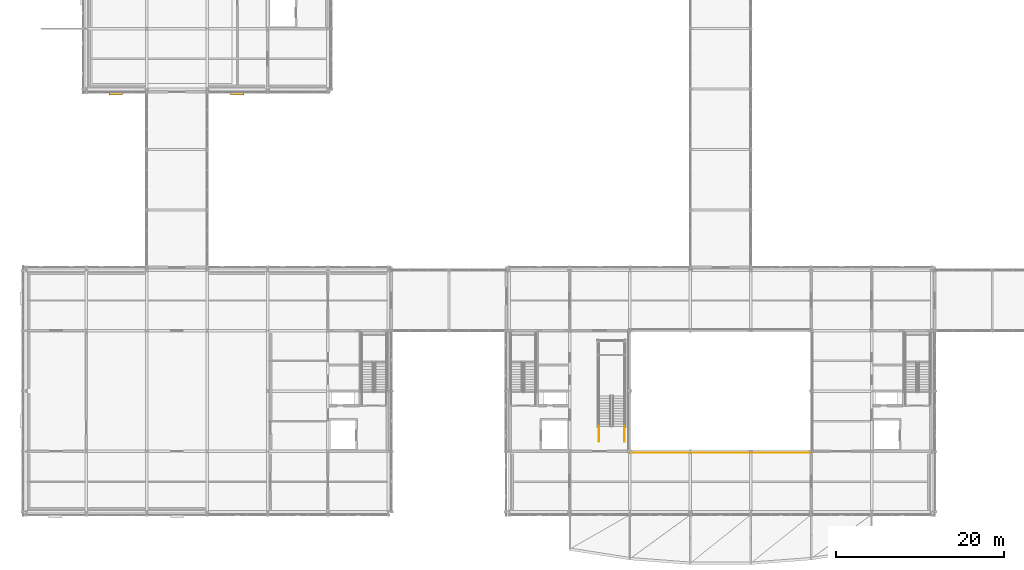
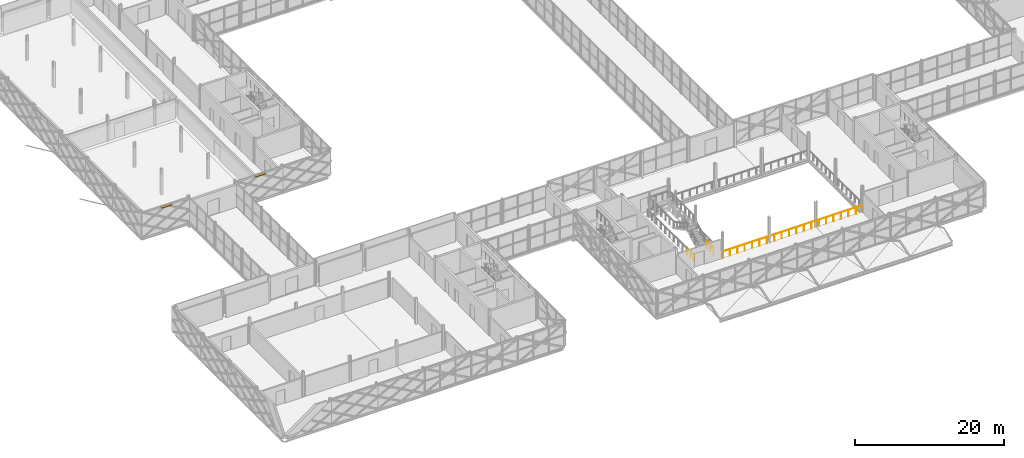
# One storey, part 136 of 146: 3 railings, 2 shading devices.
"""IFC4 building model written with IfcOpenShell, lengths in metres."""

from ifc_helpers import new_model, si_unit, direction, frame, origin, origin_2d, place, context, subcontext, project, spatial, rectangle, circle, extrude, material, type_object, element, save


model = new_model("IFC4")

# Units and contexts
model_context = context("Model", 3, precision=1e-05, world=origin(), true_north=direction((0.0, 1.0)))
body_context = subcontext(model_context, "Body", "Model", "MODEL_VIEW")
ifc_project = project(units=[si_unit("LENGTHUNIT", "METRE"), si_unit("AREAUNIT", "SQUARE_METRE"), si_unit("VOLUMEUNIT", "CUBIC_METRE"), si_unit("PLANEANGLEUNIT", "RADIAN"), si_unit("MASSUNIT", "GRAM", prefix="KILO")], contexts=[model_context])

# Site, building, storey
site_placement = place(None, origin())
site = spatial("IfcSite", under=ifc_project, at=site_placement, CompositionType="ELEMENT")
building_placement = place(site_placement, origin())
building = spatial("IfcBuilding", under=site, at=building_placement, Name="Zlatovets Crest Museum", CompositionType="ELEMENT")
storey_placement = place(building_placement, frame((0.0, 0.0, 4.5)))
storey = spatial("IfcBuildingStorey", under=building, at=storey_placement, Name="L01", CompositionType="ELEMENT", Elevation=4.5)

# Railings
ifc_material_1 = material(Name="Art Nouveau bronze and laminated glass atrium balustrade", Category="glass")
railing_type = type_object("IfcRailingType", Name="AtriumGuard_AG01", PredefinedType="BALUSTRADE", material=ifc_material_1)
for number, where, name in (
    (1, (71.35009765625, 8.39990234375, 0.0), "L01 ST6 stair guard 8"),
    (2, (68.300048828125, 8.39990234375, 0.0), "L01 ST6 stair guard 9"),
):
    element("IfcRailing", number, at=place(storey_placement, frame(where)), inside=storey, type_object=railing_type, Name=name, PredefinedType="BALUSTRADE", context=body_context, shape_type="SweptSolid", body=[
        extrude(circle(Radius=0.02392578125, at=origin_2d()), frame((0.0, 0.0, 1.076171875), z_axis=(0.0, 1.0, 0.0), x_axis=(-1.0, 0.0, 0.0)), (0.0, 0.0, 1.0), 1.800048828125),
        extrude(circle(Radius=0.02099609375, at=origin_2d()), origin(), (0.0, 0.0, 1.0), 1.052001953125),
        extrude(circle(Radius=0.02099609375, at=origin_2d()), frame((0.0, 0.89990234375, 0.0)), (0.0, 0.0, 1.0), 1.052001953125),
        extrude(circle(Radius=0.02099609375, at=origin_2d()), frame((0.0, 1.800048828125, 0.0)), (0.0, 0.0, 1.0), 1.052001953125),
    ])
railing_placement = place(storey_placement, frame((71.929931640625, 7.050048828125, 0.0)))
element("IfcRailing", 3, at=railing_placement, inside=storey, type_object=railing_type, Name="Atrium Void Balustrade L01 S", PredefinedType="BALUSTRADE", context=body_context, shape_type="SweptSolid", body=[
    extrude(circle(Radius=0.02392578125, at=origin_2d()), frame((0.0, 0.0, 1.1259765625), z_axis=(1.0, 0.0, 0.0), x_axis=(0.0, 1.0, 0.0)), (0.0, 0.0, 1.0), 21.739990234375),
    extrude(circle(Radius=0.02099609375, at=origin_2d()), origin(), (0.0, 0.0, 1.0), 1.101806640625),
    extrude(circle(Radius=0.02099609375, at=origin_2d()), frame((1.144287109375, 0.0, 0.0)), (0.0, 0.0, 1.0), 1.101806640625),
    extrude(circle(Radius=0.02099609375, at=origin_2d()), frame((2.288330078125, 0.0, 0.0)), (0.0, 0.0, 1.0), 1.101806640625),
    extrude(circle(Radius=0.02099609375, at=origin_2d()), frame((3.4326171875, 0.0, 0.0)), (0.0, 0.0, 1.0), 1.101806640625),
    extrude(circle(Radius=0.02099609375, at=origin_2d()), frame((4.576904296875, 0.0, 0.0)), (0.0, 0.0, 1.0), 1.101806640625),
    extrude(circle(Radius=0.02099609375, at=origin_2d()), frame((5.720947265625, 0.0, 0.0)), (0.0, 0.0, 1.0), 1.101806640625),
    extrude(circle(Radius=0.02099609375, at=origin_2d()), frame((6.865234375, 0.0, 0.0)), (0.0, 0.0, 1.0), 1.101806640625),
    extrude(circle(Radius=0.02099609375, at=origin_2d()), frame((8.009521484375, 0.0, 0.0)), (0.0, 0.0, 1.0), 1.101806640625),
    extrude(circle(Radius=0.02099609375, at=origin_2d()), frame((9.153564453125, 0.0, 0.0)), (0.0, 0.0, 1.0), 1.101806640625),
    extrude(circle(Radius=0.02099609375, at=origin_2d()), frame((10.2978515625, 0.0, 0.0)), (0.0, 0.0, 1.0), 1.101806640625),
    extrude(circle(Radius=0.02099609375, at=origin_2d()), frame((11.442138671875, 0.0, 0.0)), (0.0, 0.0, 1.0), 1.101806640625),
    extrude(circle(Radius=0.02099609375, at=origin_2d()), frame((12.58642578125, 0.0, 0.0)), (0.0, 0.0, 1.0), 1.101806640625),
    extrude(circle(Radius=0.02099609375, at=origin_2d()), frame((13.73046875, 0.0, 0.0)), (0.0, 0.0, 1.0), 1.101806640625),
    extrude(circle(Radius=0.02099609375, at=origin_2d()), frame((14.874755859375, 0.0, 0.0)), (0.0, 0.0, 1.0), 1.101806640625),
    extrude(circle(Radius=0.02099609375, at=origin_2d()), frame((16.01904296875, 0.0, 0.0)), (0.0, 0.0, 1.0), 1.101806640625),
    extrude(circle(Radius=0.02099609375, at=origin_2d()), frame((17.1630859375, 0.0, 0.0)), (0.0, 0.0, 1.0), 1.101806640625),
    extrude(circle(Radius=0.02099609375, at=origin_2d()), frame((18.307373046875, 0.0, 0.0)), (0.0, 0.0, 1.0), 1.101806640625),
    extrude(circle(Radius=0.02099609375, at=origin_2d()), frame((19.45166015625, 0.0, 0.0)), (0.0, 0.0, 1.0), 1.101806640625),
    extrude(circle(Radius=0.02099609375, at=origin_2d()), frame((20.595703125, 0.0, 0.0)), (0.0, 0.0, 1.0), 1.101806640625),
    extrude(circle(Radius=0.02099609375, at=origin_2d()), frame((21.739990234375, 0.0, 0.0)), (0.0, 0.0, 1.0), 1.101806640625),
])

# Shading devices
ifc_material_2 = material(Name="Patinated bronze solar-control louvre", Category="aluminium")
shading_device_type = type_object("IfcShadingDeviceType", Name="SunLouvre_SL01", PredefinedType="JALOUSIE", material=ifc_material_2)
for number, where, z_axis, x_axis, name in (
    (4, (10.699951171875, 49.860107421875, 4.010009765625), (0.0, 0.0, 1.0), (1.0, 0.0, 0.0), "Bronze Solar-Control Louvre Hood"),
    (5, (25.199951171875, 49.860107421875, 4.010009765625), (0.0, 0.0, 1.0), (1.0, 0.0, 0.0), "Bronze Solar-Control Louvre Hood"),
):
    element("IfcShadingDevice", number, at=place(storey_placement, frame(where, z_axis=z_axis, x_axis=x_axis)), inside=storey, type_object=shading_device_type, Name=name, PredefinedType="JALOUSIE", context=body_context, shape_type="SweptSolid", body=[
        extrude(rectangle(XDim=1.60009765625, YDim=0.35009765625, at=origin_2d()), origin(), (0.0, 0.0, 1.0), 0.080078125),
    ])

save(model, "model.ifc")
